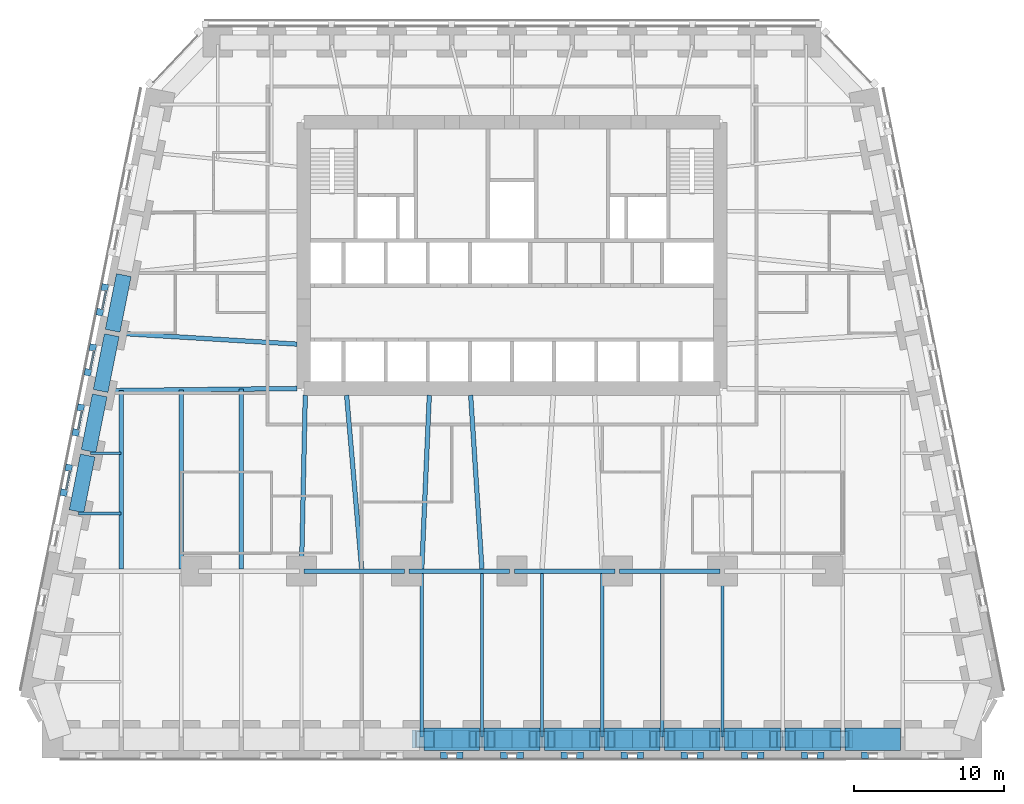
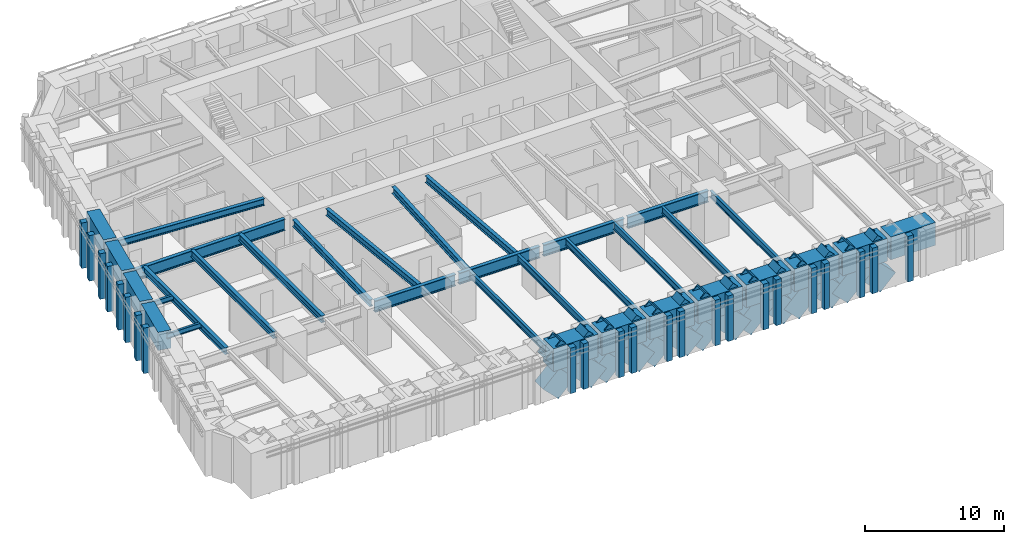
# One storey, part 2 of 16: 41 members, 33 beams, 12 elements without a shape of their own.
"""IFC4 building model written with IfcOpenShell, lengths in metres."""

from ifc_helpers import new_model, si_unit, direction, frame, origin, origin_2d, place, context, subcontext, project, spatial, rectangle, hollow_rectangle, i_section, extrude, material, material_profile, profile_set, type_object, element, aggregate, save


model = new_model("IFC4")

# Units and contexts
model_context = context("Model", 3, precision=1e-05, world=origin(), true_north=direction((0.0, 1.0)))
body_context = subcontext(model_context, "Body", "Model", "MODEL_VIEW")
ifc_project = project(units=[si_unit("LENGTHUNIT", "METRE"), si_unit("AREAUNIT", "SQUARE_METRE"), si_unit("VOLUMEUNIT", "CUBIC_METRE"), si_unit("PLANEANGLEUNIT", "RADIAN"), si_unit("MASSUNIT", "GRAM", prefix="KILO")], contexts=[model_context])

# Site, building, storey
site_placement = place(None, origin())
site = spatial("IfcSite", under=ifc_project, at=site_placement, CompositionType="ELEMENT")
building_placement = place(site_placement, origin())
building = spatial("IfcBuilding", under=site, at=building_placement, Name="Isbrekke Arena Tower", CompositionType="ELEMENT")
storey_placement = place(building_placement, frame((0.0, 0.0, 44.0)))
storey = spatial("IfcBuildingStorey", under=building, at=storey_placement, Name="L08", CompositionType="ELEMENT", Elevation=44.0)

# Beams
ifc_material_1 = material(Name="Steel S355", Category="steel")
ifc_material_profile_1 = material_profile(ifc_material_1, i_section(OverallWidth=0.219970703125, OverallDepth=0.60009765625, WebThickness=0.011962890625, FlangeThickness=0.01904296875, FilletRadius=0.02392578125, at=origin_2d()), Name="IPE 600")
ifc_profile_set_1 = profile_set([ifc_material_profile_1], Name="Steel S355")
beam_type_1 = type_object("IfcBeamType", Name="B1 IPE 600", PredefinedType="BEAM", material=ifc_profile_set_1)
for number, where, z_axis, x_axis, name in (
    (1, (-6.0, -17.02490234375, 3.550048828125), (0.0, 1.0, 0.0), (-1.0, 0.0, 0.0), "B1 beam S-S07 L08"),
    (2, (-2.0, -17.02490234375, 3.550048828125), (0.0, 1.0, 0.0), (-1.0, 0.0, 0.0), "B1 beam S-S08 L08"),
    (3, (2.0, -17.02490234375, 3.550048828125), (0.0, 1.0, 0.0), (-1.0, 0.0, 0.0), "B1 beam S-S09 L08"),
    (4, (6.0, -17.02490234375, 3.550048828125), (0.0, 1.0, 0.0), (-1.0, 0.0, 0.0), "B1 beam S-S10 L08"),
    (5, (10.0, -17.02490234375, 3.550048828125), (0.0, 1.0, 0.0), (-1.0, 0.0, 0.0), "B1 beam S-S11 L08"),
):
    element("IfcBeam", number, at=place(storey_placement, frame(where, z_axis=z_axis, x_axis=x_axis)), inside=storey, type_object=beam_type_1, Name=name, PredefinedType="BEAM", context=body_context, shape_type="SweptSolid", body=[
        extrude(i_section(OverallWidth=0.219970703125, OverallDepth=0.60009765625, WebThickness=0.011962890625, FlangeThickness=0.01904296875, FilletRadius=0.02392578125, at=origin_2d()), origin(), (0.0, 0.0, 1.0), 10.8740234375),
    ])
beam_1_placement = place(storey_placement, frame((14.0, -17.02490234375, 3.550048828125), z_axis=(0.0, 1.0, 0.0), x_axis=(-1.0, 0.0, 0.0)))
element("IfcBeam", 6, at=beam_1_placement, inside=storey, type_object=beam_type_1, Name="B1 beam S-S12 L08", PredefinedType="BEAM", context=body_context, shape_type="SweptSolid", body=[
    extrude(i_section(OverallWidth=0.219970703125, OverallDepth=0.60009765625, WebThickness=0.011962890625, FlangeThickness=0.01904296875, FilletRadius=0.02392578125, at=origin_2d()), origin(), (0.0, 0.0, 1.0), 10.875),
])
ifc_material_2 = material(Name="Steel S355", Category="steel")
ifc_material_profile_2 = material_profile(ifc_material_2, i_section(OverallWidth=0.18994140625, OverallDepth=0.449951171875, WebThickness=0.009521484375, FlangeThickness=0.0146484375, FilletRadius=0.02099609375, at=origin_2d()), Name="IPE 450")
ifc_profile_set_2 = profile_set([ifc_material_profile_2], Name="Steel S355")
beam_type_2 = type_object("IfcBeamType", Name="B2 IPE 450", PredefinedType="BEAM", material=ifc_profile_set_2)
beam_2_placement = place(storey_placement, frame((-28.041015625, 1.838134765625, 3.625), z_axis=(1.0, 0.0, 0.0), x_axis=(0.0, 1.0, 0.0)))
element("IfcBeam", 7, at=beam_2_placement, inside=storey, type_object=beam_type_2, Name="B2 beam E-W07 L08", PredefinedType="BEAM", context=body_context, shape_type="SweptSolid", body=[
    extrude(i_section(OverallWidth=0.18994140625, OverallDepth=0.449951171875, WebThickness=0.009521484375, FlangeThickness=0.0146484375, FilletRadius=0.02099609375, at=origin_2d()), origin(), (0.0, 0.0, 1.0), 2.041015625),
])
beam_3_placement = place(storey_placement, frame((-28.841064453125, -2.161865234375, 3.625), z_axis=(1.0, 0.0, 0.0), x_axis=(0.0, 1.0, 0.0)))
element("IfcBeam", 8, at=beam_3_placement, inside=storey, type_object=beam_type_2, Name="B2 beam E-W08 L08", PredefinedType="BEAM", context=body_context, shape_type="SweptSolid", body=[
    extrude(i_section(OverallWidth=0.18994140625, OverallDepth=0.449951171875, WebThickness=0.009521484375, FlangeThickness=0.0146484375, FilletRadius=0.02099609375, at=origin_2d()), origin(), (0.0, 0.0, 1.0), 2.841064453125),
])
ifc_material_3 = material(Name="Steel S355", Category="steel")
ifc_material_profile_3 = material_profile(ifc_material_3, i_section(OverallWidth=0.300048828125, OverallDepth=0.60009765625, WebThickness=0.015380859375, FlangeThickness=0.030029296875, FilletRadius=0.027099609375, at=origin_2d()), Name="HEB 600")
ifc_profile_set_3 = profile_set([ifc_material_profile_3], Name="Steel S355")
beam_type_3 = type_object("IfcBeamType", Name="B7 HEB 600", PredefinedType="BEAM", material=ifc_profile_set_3)
beam_4_placement = place(storey_placement, frame((-26.0, -5.84912109375, 3.550048828125), z_axis=(0.0, 1.0, 0.0), x_axis=(-1.0, 0.0, 0.0)))
element("IfcBeam", 9, at=beam_4_placement, inside=storey, type_object=beam_type_3, Name="B7 beam C-M01 L08", PredefinedType="BEAM", context=body_context, shape_type="SweptSolid", body=[
    extrude(i_section(OverallWidth=0.300048828125, OverallDepth=0.60009765625, WebThickness=0.015380859375, FlangeThickness=0.030029296875, FilletRadius=0.027099609375, at=origin_2d()), origin(), (0.0, 0.0, 1.0), 11.864990234375),
])
beam_5_placement = place(storey_placement, frame((-22.0, -5.84912109375, 3.550048828125), z_axis=(0.0, 1.0, 0.0), x_axis=(-1.0, 0.0, 0.0)))
element("IfcBeam", 10, at=beam_5_placement, inside=storey, type_object=beam_type_3, Name="B7 beam C-M02 L08", PredefinedType="BEAM", context=body_context, shape_type="SweptSolid", body=[
    extrude(i_section(OverallWidth=0.300048828125, OverallDepth=0.60009765625, WebThickness=0.015380859375, FlangeThickness=0.030029296875, FilletRadius=0.027099609375, at=origin_2d()), origin(), (0.0, 0.0, 1.0), 11.910888671875),
])
beam_6_placement = place(storey_placement, frame((-18.0, -5.84912109375, 3.550048828125), z_axis=(0.0, 1.0, 0.0), x_axis=(-1.0, 0.0, 0.0)))
element("IfcBeam", 11, at=beam_6_placement, inside=storey, type_object=beam_type_3, Name="B7 beam C-M03 L08", PredefinedType="BEAM", context=body_context, shape_type="SweptSolid", body=[
    extrude(i_section(OverallWidth=0.300048828125, OverallDepth=0.60009765625, WebThickness=0.015380859375, FlangeThickness=0.030029296875, FilletRadius=0.027099609375, at=origin_2d()), origin(), (0.0, 0.0, 1.0), 11.956787109375),
])
beam_7_placement = place(storey_placement, frame((-14.0, -5.8466796875, 3.550048828125), z_axis=(0.021646264273, 0.999765692171, 0.0), x_axis=(-0.999765692171, 0.021646264273, 0.0)))
element("IfcBeam", 12, at=beam_7_placement, inside=storey, type_object=beam_type_3, Name="B7 beam C-M04 L08", PredefinedType="BEAM", context=body_context, shape_type="SweptSolid", body=[
    extrude(i_section(OverallWidth=0.300048828125, OverallDepth=0.60009765625, WebThickness=0.015380859375, FlangeThickness=0.030029296875, FilletRadius=0.027099609375, at=origin_2d()), origin(), (0.0, 0.0, 1.0), 11.54931640625),
])
beam_8_placement = place(storey_placement, frame((-10.001220703125, -5.836181640625, 3.550048828125), z_axis=(-0.086255671377, 0.996273034442, 0.0), x_axis=(-0.996273034442, -0.086255671377, 0.0)))
element("IfcBeam", 13, at=beam_8_placement, inside=storey, type_object=beam_type_3, Name="B7 beam C-M05 L08", PredefinedType="BEAM", context=body_context, shape_type="SweptSolid", body=[
    extrude(i_section(OverallWidth=0.300048828125, OverallDepth=0.60009765625, WebThickness=0.015380859375, FlangeThickness=0.030029296875, FilletRadius=0.027099609375, at=origin_2d()), origin(), (0.0, 0.0, 1.0), 11.579345703125),
])
beam_9_placement = place(storey_placement, frame((-5.999755859375, -5.842529296875, 3.550048828125), z_axis=(0.04325656756, 0.99906399663, 0.0), x_axis=(-0.99906399663, 0.04325656756, 0.0)))
element("IfcBeam", 14, at=beam_9_placement, inside=storey, type_object=beam_type_3, Name="B7 beam C-M06 L08", PredefinedType="BEAM", context=body_context, shape_type="SweptSolid", body=[
    extrude(i_section(OverallWidth=0.300048828125, OverallDepth=0.60009765625, WebThickness=0.015380859375, FlangeThickness=0.030029296875, FilletRadius=0.027099609375, at=origin_2d()), origin(), (0.0, 0.0, 1.0), 11.55322265625),
])
beam_10_placement = place(storey_placement, frame((-2.000732421875, -5.83935546875, 3.550048828125), z_axis=(-0.064795318476, 0.997898575359, 0.0), x_axis=(-0.997898575359, -0.064795318476, 0.0)))
element("IfcBeam", 15, at=beam_10_placement, inside=storey, type_object=beam_type_3, Name="B7 beam C-M07 L08", PredefinedType="BEAM", context=body_context, shape_type="SweptSolid", body=[
    extrude(i_section(OverallWidth=0.300048828125, OverallDepth=0.60009765625, WebThickness=0.015380859375, FlangeThickness=0.030029296875, FilletRadius=0.027099609375, at=origin_2d()), origin(), (0.0, 0.0, 1.0), 11.563720703125),
])
beam_11_placement = place(storey_placement, frame((-26.431884765625, 9.837646484375, 3.550048828125), z_axis=(0.998157121592, -0.060682457223, 0.0), x_axis=(0.060682457223, 0.998157121592, 0.0)))
element("IfcBeam", 16, at=beam_11_placement, inside=storey, type_object=beam_type_3, Name="B7 beam E-W05 L08", PredefinedType="BEAM", context=body_context, shape_type="SweptSolid", body=[
    extrude(i_section(OverallWidth=0.300048828125, OverallDepth=0.60009765625, WebThickness=0.015380859375, FlangeThickness=0.030029296875, FilletRadius=0.027099609375, at=origin_2d()), origin(), (0.0, 0.0, 1.0), 12.154296875),
])

# Curtain wall, members
ifc_material_4 = material(Name="Glazed aluminium curtain wall", Category="aluminium")
curtain_wall_type = type_object("IfcCurtainWallType", Name="CWL TOWER CURTAIN WALL LOW ZONE", PredefinedType="USERDEFINED", material=ifc_material_4)
curtain_wall_1_placement = place(storey_placement, origin())
curtain_wall_1 = element("IfcCurtainWall", 17, at=curtain_wall_1_placement, inside=storey, type_object=curtain_wall_type, Name="CWL curtain wall L08-S13", ObjectType="TOWER CURTAIN WALL LOW ZONE", PredefinedType="USERDEFINED")
ifc_material_5 = material(Name="Aluminium mullion, pale brick slip cladding", Category="masonry")
ifc_material_profile_4 = material_profile(ifc_material_5, rectangle(XDim=0.449951171875, YDim=0.449951171875, at=origin_2d()), Name="PIER 450X450")
ifc_profile_set_4 = profile_set([ifc_material_profile_4], Name="Aluminium mullion, pale brick slip cladding")
member_type_1 = type_object("IfcMemberType", Name="CWL-M PIER MULLION 450 x 450", PredefinedType="MULLION", material=ifc_profile_set_4)
member_1_placement = place(storey_placement, frame((-4.52490234375, -18.25, 0.0), z_axis=(0.0, 0.0, 1.0), x_axis=(1.0, 0.0, 0.0)))
member_1 = element("IfcMember", 18, at=member_1_placement, type_object=member_type_1, Name="CWL-M mullion 1", PredefinedType="MULLION", context=body_context, shape_type="SweptSolid", body=[
    extrude(rectangle(XDim=0.449951171875, YDim=0.449951171875, at=origin_2d()), origin(), (0.0, 0.0, 1.0), 4.0),
])
member_2_placement = place(storey_placement, frame((-3.47509765625, -18.25, 0.0), z_axis=(0.0, 0.0, 1.0), x_axis=(1.0, 0.0, 0.0)))
member_2 = element("IfcMember", 19, at=member_2_placement, type_object=member_type_1, Name="CWL-M mullion 2", PredefinedType="MULLION", context=body_context, shape_type="SweptSolid", body=[
    extrude(rectangle(XDim=0.449951171875, YDim=0.449951171875, at=origin_2d()), origin(), (0.0, 0.0, 1.0), 4.0),
])
aggregate(curtain_wall_1, [member_1, member_2])

curtain_wall_2_placement = place(storey_placement, origin())
curtain_wall_2 = element("IfcCurtainWall", 20, at=curtain_wall_2_placement, inside=storey, type_object=curtain_wall_type, Name="CWL curtain wall L08-S15", ObjectType="TOWER CURTAIN WALL LOW ZONE", PredefinedType="USERDEFINED")
member_3_placement = place(storey_placement, frame((-0.52490234375, -18.25, 0.0), z_axis=(0.0, 0.0, 1.0), x_axis=(1.0, 0.0, 0.0)))
member_3 = element("IfcMember", 21, at=member_3_placement, type_object=member_type_1, Name="CWL-M mullion 1", PredefinedType="MULLION", context=body_context, shape_type="SweptSolid", body=[
    extrude(rectangle(XDim=0.449951171875, YDim=0.449951171875, at=origin_2d()), origin(), (0.0, 0.0, 1.0), 4.0),
])
member_4_placement = place(storey_placement, frame((0.52490234375, -18.25, 0.0), z_axis=(0.0, 0.0, 1.0), x_axis=(1.0, 0.0, 0.0)))
member_4 = element("IfcMember", 22, at=member_4_placement, type_object=member_type_1, Name="CWL-M mullion 2", PredefinedType="MULLION", context=body_context, shape_type="SweptSolid", body=[
    extrude(rectangle(XDim=0.449951171875, YDim=0.449951171875, at=origin_2d()), origin(), (0.0, 0.0, 1.0), 4.0),
])
aggregate(curtain_wall_2, [member_3, member_4])

curtain_wall_3_placement = place(storey_placement, origin())
curtain_wall_3 = element("IfcCurtainWall", 23, at=curtain_wall_3_placement, inside=storey, type_object=curtain_wall_type, Name="CWL curtain wall L08-S17", ObjectType="TOWER CURTAIN WALL LOW ZONE", PredefinedType="USERDEFINED")
member_5_placement = place(storey_placement, frame((3.47509765625, -18.25, 0.0), z_axis=(0.0, 0.0, 1.0), x_axis=(1.0, 0.0, 0.0)))
member_5 = element("IfcMember", 24, at=member_5_placement, type_object=member_type_1, Name="CWL-M mullion 1", PredefinedType="MULLION", context=body_context, shape_type="SweptSolid", body=[
    extrude(rectangle(XDim=0.449951171875, YDim=0.449951171875, at=origin_2d()), origin(), (0.0, 0.0, 1.0), 4.0),
])
member_6_placement = place(storey_placement, frame((4.52490234375, -18.25, 0.0), z_axis=(0.0, 0.0, 1.0), x_axis=(1.0, 0.0, 0.0)))
member_6 = element("IfcMember", 25, at=member_6_placement, type_object=member_type_1, Name="CWL-M mullion 2", PredefinedType="MULLION", context=body_context, shape_type="SweptSolid", body=[
    extrude(rectangle(XDim=0.449951171875, YDim=0.449951171875, at=origin_2d()), origin(), (0.0, 0.0, 1.0), 4.0),
])
aggregate(curtain_wall_3, [member_5, member_6])

curtain_wall_4_placement = place(storey_placement, origin())
curtain_wall_4 = element("IfcCurtainWall", 26, at=curtain_wall_4_placement, inside=storey, type_object=curtain_wall_type, Name="CWL curtain wall L08-S19", ObjectType="TOWER CURTAIN WALL LOW ZONE", PredefinedType="USERDEFINED")
member_7_placement = place(storey_placement, frame((7.47509765625, -18.25, 0.0), z_axis=(0.0, 0.0, 1.0), x_axis=(1.0, 0.0, 0.0)))
member_7 = element("IfcMember", 27, at=member_7_placement, type_object=member_type_1, Name="CWL-M mullion 1", PredefinedType="MULLION", context=body_context, shape_type="SweptSolid", body=[
    extrude(rectangle(XDim=0.449951171875, YDim=0.449951171875, at=origin_2d()), origin(), (0.0, 0.0, 1.0), 4.0),
])
member_8_placement = place(storey_placement, frame((8.52490234375, -18.25, 0.0), z_axis=(0.0, 0.0, 1.0), x_axis=(1.0, 0.0, 0.0)))
member_8 = element("IfcMember", 28, at=member_8_placement, type_object=member_type_1, Name="CWL-M mullion 2", PredefinedType="MULLION", context=body_context, shape_type="SweptSolid", body=[
    extrude(rectangle(XDim=0.449951171875, YDim=0.449951171875, at=origin_2d()), origin(), (0.0, 0.0, 1.0), 4.0),
])
aggregate(curtain_wall_4, [member_7, member_8])

curtain_wall_5_placement = place(storey_placement, origin())
curtain_wall_5 = element("IfcCurtainWall", 29, at=curtain_wall_5_placement, inside=storey, type_object=curtain_wall_type, Name="CWL curtain wall L08-S21", ObjectType="TOWER CURTAIN WALL LOW ZONE", PredefinedType="USERDEFINED")
member_9_placement = place(storey_placement, frame((11.47509765625, -18.25, 0.0), z_axis=(0.0, 0.0, 1.0), x_axis=(1.0, 0.0, 0.0)))
member_9 = element("IfcMember", 30, at=member_9_placement, type_object=member_type_1, Name="CWL-M mullion 1", PredefinedType="MULLION", context=body_context, shape_type="SweptSolid", body=[
    extrude(rectangle(XDim=0.449951171875, YDim=0.449951171875, at=origin_2d()), origin(), (0.0, 0.0, 1.0), 4.0),
])
member_10_placement = place(storey_placement, frame((12.52490234375, -18.25, 0.0), z_axis=(0.0, 0.0, 1.0), x_axis=(1.0, 0.0, 0.0)))
member_10 = element("IfcMember", 31, at=member_10_placement, type_object=member_type_1, Name="CWL-M mullion 2", PredefinedType="MULLION", context=body_context, shape_type="SweptSolid", body=[
    extrude(rectangle(XDim=0.449951171875, YDim=0.449951171875, at=origin_2d()), origin(), (0.0, 0.0, 1.0), 4.0),
])
aggregate(curtain_wall_5, [member_9, member_10])

curtain_wall_6_placement = place(storey_placement, origin())
curtain_wall_6 = element("IfcCurtainWall", 32, at=curtain_wall_6_placement, inside=storey, type_object=curtain_wall_type, Name="CWL curtain wall L08-S23", ObjectType="TOWER CURTAIN WALL LOW ZONE", PredefinedType="USERDEFINED")
member_11_placement = place(storey_placement, frame((15.47509765625, -18.25, 0.0), z_axis=(0.0, 0.0, 1.0), x_axis=(1.0, 0.0, 0.0)))
member_11 = element("IfcMember", 33, at=member_11_placement, type_object=member_type_1, Name="CWL-M mullion 1", PredefinedType="MULLION", context=body_context, shape_type="SweptSolid", body=[
    extrude(rectangle(XDim=0.449951171875, YDim=0.449951171875, at=origin_2d()), origin(), (0.0, 0.0, 1.0), 4.0),
])
member_12_placement = place(storey_placement, frame((16.52490234375, -18.25, 0.0), z_axis=(0.0, 0.0, 1.0), x_axis=(1.0, 0.0, 0.0)))
member_12 = element("IfcMember", 34, at=member_12_placement, type_object=member_type_1, Name="CWL-M mullion 2", PredefinedType="MULLION", context=body_context, shape_type="SweptSolid", body=[
    extrude(rectangle(XDim=0.449951171875, YDim=0.449951171875, at=origin_2d()), origin(), (0.0, 0.0, 1.0), 4.0),
])
aggregate(curtain_wall_6, [member_11, member_12])

curtain_wall_7_placement = place(storey_placement, origin())
curtain_wall_7 = element("IfcCurtainWall", 35, at=curtain_wall_7_placement, inside=storey, type_object=curtain_wall_type, Name="CWL curtain wall L08-S25", ObjectType="TOWER CURTAIN WALL LOW ZONE", PredefinedType="USERDEFINED")
member_13_placement = place(storey_placement, frame((19.47509765625, -18.25, 0.0), z_axis=(0.0, 0.0, 1.0), x_axis=(1.0, 0.0, 0.0)))
member_13 = element("IfcMember", 36, at=member_13_placement, type_object=member_type_1, Name="CWL-M mullion 1", PredefinedType="MULLION", context=body_context, shape_type="SweptSolid", body=[
    extrude(rectangle(XDim=0.449951171875, YDim=0.449951171875, at=origin_2d()), origin(), (0.0, 0.0, 1.0), 4.0),
])
member_14_placement = place(storey_placement, frame((20.52490234375, -18.25, 0.0), z_axis=(0.0, 0.0, 1.0), x_axis=(1.0, 0.0, 0.0)))
member_14 = element("IfcMember", 37, at=member_14_placement, type_object=member_type_1, Name="CWL-M mullion 2", PredefinedType="MULLION", context=body_context, shape_type="SweptSolid", body=[
    extrude(rectangle(XDim=0.449951171875, YDim=0.449951171875, at=origin_2d()), origin(), (0.0, 0.0, 1.0), 4.0),
])
aggregate(curtain_wall_7, [member_13, member_14])

# Curtain wall, member
curtain_wall_8_placement = place(storey_placement, origin())
curtain_wall_8 = element("IfcCurtainWall", 38, at=curtain_wall_8_placement, inside=storey, type_object=curtain_wall_type, Name="CWL curtain wall L08-S27", ObjectType="TOWER CURTAIN WALL LOW ZONE", PredefinedType="USERDEFINED")
member_15_placement = place(storey_placement, frame((23.47509765625, -18.25, 0.0), z_axis=(0.0, 0.0, 1.0), x_axis=(1.0, 0.0, 0.0)))
member_15 = element("IfcMember", 39, at=member_15_placement, type_object=member_type_1, Name="CWL-M mullion 1", PredefinedType="MULLION", context=body_context, shape_type="SweptSolid", body=[
    extrude(rectangle(XDim=0.449951171875, YDim=0.449951171875, at=origin_2d()), origin(), (0.0, 0.0, 1.0), 4.0),
])
aggregate(curtain_wall_8, [member_15])

# Curtain wall, members
curtain_wall_9_placement = place(storey_placement, origin())
curtain_wall_9 = element("IfcCurtainWall", 40, at=curtain_wall_9_placement, inside=storey, type_object=curtain_wall_type, Name="CWL curtain wall L08-W7", ObjectType="TOWER CURTAIN WALL LOW ZONE", PredefinedType="USERDEFINED")
member_16_placement = place(storey_placement, frame((-27.08056640625, 12.872314453125, 0.0), z_axis=(0.0, 0.0, 1.0), x_axis=(-0.196116135138, -0.980580675691, 0.0)))
member_16 = element("IfcMember", 41, at=member_16_placement, type_object=member_type_1, Name="CWL-M mullion 1", PredefinedType="MULLION", context=body_context, shape_type="SweptSolid", body=[
    extrude(rectangle(XDim=0.449951171875, YDim=0.449951171875, at=origin_2d()), origin(), (0.0, 0.0, 1.0), 4.0),
])
member_17_placement = place(storey_placement, frame((-27.409912109375, 11.225830078125, 0.0), z_axis=(0.0, 0.0, 1.0), x_axis=(-0.196116135138, -0.980580675691, 0.0)))
member_17 = element("IfcMember", 42, at=member_17_placement, type_object=member_type_1, Name="CWL-M mullion 2", PredefinedType="MULLION", context=body_context, shape_type="SweptSolid", body=[
    extrude(rectangle(XDim=0.449951171875, YDim=0.449951171875, at=origin_2d()), origin(), (0.0, 0.0, 1.0), 4.0),
])

curtain_wall_10_placement = place(storey_placement, origin())
curtain_wall_10 = element("IfcCurtainWall", 43, at=curtain_wall_10_placement, inside=storey, type_object=curtain_wall_type, Name="CWL curtain wall L08-W9", ObjectType="TOWER CURTAIN WALL LOW ZONE", PredefinedType="USERDEFINED")
member_18_placement = place(storey_placement, frame((-27.88037109375, 8.872314453125, 0.0), z_axis=(0.0, 0.0, 1.0), x_axis=(-0.196116135138, -0.980580675691, 0.0)))
member_18 = element("IfcMember", 44, at=member_18_placement, type_object=member_type_1, Name="CWL-M mullion 1", PredefinedType="MULLION", context=body_context, shape_type="SweptSolid", body=[
    extrude(rectangle(XDim=0.449951171875, YDim=0.449951171875, at=origin_2d()), origin(), (0.0, 0.0, 1.0), 4.0),
])
member_19_placement = place(storey_placement, frame((-28.209716796875, 7.225830078125, 0.0), z_axis=(0.0, 0.0, 1.0), x_axis=(-0.196116135138, -0.980580675691, 0.0)))
member_19 = element("IfcMember", 45, at=member_19_placement, type_object=member_type_1, Name="CWL-M mullion 2", PredefinedType="MULLION", context=body_context, shape_type="SweptSolid", body=[
    extrude(rectangle(XDim=0.449951171875, YDim=0.449951171875, at=origin_2d()), origin(), (0.0, 0.0, 1.0), 4.0),
])

curtain_wall_11_placement = place(storey_placement, origin())
curtain_wall_11 = element("IfcCurtainWall", 46, at=curtain_wall_11_placement, inside=storey, type_object=curtain_wall_type, Name="CWL curtain wall L08-W11", ObjectType="TOWER CURTAIN WALL LOW ZONE", PredefinedType="USERDEFINED")
member_20_placement = place(storey_placement, frame((-28.680419921875, 4.872314453125, 0.0), z_axis=(0.0, 0.0, 1.0), x_axis=(-0.196116135138, -0.980580675691, 0.0)))
member_20 = element("IfcMember", 47, at=member_20_placement, type_object=member_type_1, Name="CWL-M mullion 1", PredefinedType="MULLION", context=body_context, shape_type="SweptSolid", body=[
    extrude(rectangle(XDim=0.449951171875, YDim=0.449951171875, at=origin_2d()), origin(), (0.0, 0.0, 1.0), 4.0),
])
member_21_placement = place(storey_placement, frame((-29.009765625, 3.225830078125, 0.0), z_axis=(0.0, 0.0, 1.0), x_axis=(-0.196116135138, -0.980580675691, 0.0)))
member_21 = element("IfcMember", 48, at=member_21_placement, type_object=member_type_1, Name="CWL-M mullion 2", PredefinedType="MULLION", context=body_context, shape_type="SweptSolid", body=[
    extrude(rectangle(XDim=0.449951171875, YDim=0.449951171875, at=origin_2d()), origin(), (0.0, 0.0, 1.0), 4.0),
])

curtain_wall_12_placement = place(storey_placement, origin())
curtain_wall_12 = element("IfcCurtainWall", 49, at=curtain_wall_12_placement, inside=storey, type_object=curtain_wall_type, Name="CWL curtain wall L08-W13", ObjectType="TOWER CURTAIN WALL LOW ZONE", PredefinedType="USERDEFINED")
member_22_placement = place(storey_placement, frame((-29.48046875, 0.872314453125, 0.0), z_axis=(0.0, 0.0, 1.0), x_axis=(-0.196116135138, -0.980580675691, 0.0)))
member_22 = element("IfcMember", 50, at=member_22_placement, type_object=member_type_1, Name="CWL-M mullion 1", PredefinedType="MULLION", context=body_context, shape_type="SweptSolid", body=[
    extrude(rectangle(XDim=0.449951171875, YDim=0.449951171875, at=origin_2d()), origin(), (0.0, 0.0, 1.0), 4.0),
])
member_23_placement = place(storey_placement, frame((-29.809814453125, -0.774169921875, 0.0), z_axis=(0.0, 0.0, 1.0), x_axis=(-0.196116135138, -0.980580675691, 0.0)))
member_23 = element("IfcMember", 51, at=member_23_placement, type_object=member_type_1, Name="CWL-M mullion 2", PredefinedType="MULLION", context=body_context, shape_type="SweptSolid", body=[
    extrude(rectangle(XDim=0.449951171875, YDim=0.449951171875, at=origin_2d()), origin(), (0.0, 0.0, 1.0), 4.0),
])

# Member
ifc_material_6 = material(Name="Aluminium transom", Category="aluminium")
ifc_material_profile_5 = material_profile(ifc_material_6, rectangle(XDim=0.1201171875, YDim=0.199951171875, at=origin_2d()), Name="TRANSOM 120X200")
ifc_profile_set_5 = profile_set([ifc_material_profile_5], Name="Aluminium transom")
member_type_2 = type_object("IfcMemberType", Name="CWL-T TRANSOM 120 x 200", PredefinedType="USERDEFINED", material=ifc_profile_set_5)
member_24_placement = place(storey_placement, frame((-27.001953125, 12.627197265625, 3.0), z_axis=(-0.19623071885, -0.980557751986, 0.0), x_axis=(0.980557751986, -0.19623071885, 0.0)))
member_24 = element("IfcMember", 52, at=member_24_placement, type_object=member_type_2, Name="CWL-T transom 1", ObjectType="TRANSOM", PredefinedType="USERDEFINED", context=body_context, shape_type="SweptSolid", body=[
    extrude(rectangle(XDim=0.1201171875, YDim=0.199951171875, at=origin_2d()), origin(), (0.0, 0.0, 1.0), 1.229248046875),
])

aggregate(curtain_wall_9, [member_16, member_17, member_24])

member_25_placement = place(storey_placement, frame((-27.802001953125, 8.627197265625, 3.0), z_axis=(-0.19623071885, -0.980557751986, 0.0), x_axis=(0.980557751986, -0.19623071885, 0.0)))
member_25 = element("IfcMember", 53, at=member_25_placement, type_object=member_type_2, Name="CWL-T transom 1", ObjectType="TRANSOM", PredefinedType="USERDEFINED", context=body_context, shape_type="SweptSolid", body=[
    extrude(rectangle(XDim=0.1201171875, YDim=0.199951171875, at=origin_2d()), origin(), (0.0, 0.0, 1.0), 1.229248046875),
])

aggregate(curtain_wall_10, [member_18, member_19, member_25])

member_26_placement = place(storey_placement, frame((-28.60205078125, 4.627197265625, 3.0), z_axis=(-0.196039741533, -0.980595951317, 0.0), x_axis=(0.980595951317, -0.196039741533, 0.0)))
member_26 = element("IfcMember", 54, at=member_26_placement, type_object=member_type_2, Name="CWL-T transom 1", ObjectType="TRANSOM", PredefinedType="USERDEFINED", context=body_context, shape_type="SweptSolid", body=[
    extrude(rectangle(XDim=0.1201171875, YDim=0.199951171875, at=origin_2d()), origin(), (0.0, 0.0, 1.0), 1.229248046875),
])

aggregate(curtain_wall_11, [member_20, member_21, member_26])

member_27_placement = place(storey_placement, frame((-29.402099609375, 0.627197265625, 3.0), z_axis=(-0.196039741533, -0.980595951317, 0.0), x_axis=(0.980595951317, -0.196039741533, 0.0)))
member_27 = element("IfcMember", 55, at=member_27_placement, type_object=member_type_2, Name="CWL-T transom 1", ObjectType="TRANSOM", PredefinedType="USERDEFINED", context=body_context, shape_type="SweptSolid", body=[
    extrude(rectangle(XDim=0.1201171875, YDim=0.199951171875, at=origin_2d()), origin(), (0.0, 0.0, 1.0), 1.229248046875),
])

aggregate(curtain_wall_12, [member_22, member_23, member_27])

# Beams
ifc_material_7 = material(Name="Steel S355", Category="steel")
ifc_material_profile_6 = material_profile(ifc_material_7, i_section(OverallWidth=0.302001953125, OverallDepth=1.008056640625, WebThickness=0.02099609375, FlangeThickness=0.0400390625, FilletRadius=0.030029296875, at=origin_2d()), Name="HEM 1000")
ifc_profile_set_6 = profile_set([ifc_material_profile_6], Name="Steel S355")
beam_type_4 = type_object("IfcBeamType", Name="G1 HEM 1000", PredefinedType="BEAM", material=ifc_profile_set_6)
for number, where, z_axis, x_axis, name in (
    (56, (-13.85009765625, -6.0, 3.345947265625), (1.0, 0.0, 0.0), (0.0, 1.0, 0.0), "G1 beam G1-03 L08"),
    (57, (-6.85009765625, -6.0, 3.345947265625), (1.0, 0.0, 0.0), (0.0, 1.0, 0.0), "G1 beam G1-04 L08"),
    (58, (0.14990234375, -6.0, 3.345947265625), (1.0, 0.0, 0.0), (0.0, 1.0, 0.0), "G1 beam G1-05 L08"),
    (59, (7.14990234375, -6.0, 3.345947265625), (1.0, 0.0, 0.0), (0.0, 1.0, 0.0), "G1 beam G1-06 L08"),
):
    element("IfcBeam", number, at=place(storey_placement, frame(where, z_axis=z_axis, x_axis=x_axis)), inside=storey, type_object=beam_type_4, Name=name, PredefinedType="BEAM", context=body_context, shape_type="SweptSolid", body=[
        extrude(i_section(OverallWidth=0.302001953125, OverallDepth=1.008056640625, WebThickness=0.02099609375, FlangeThickness=0.0400390625, FilletRadius=0.030029296875, at=origin_2d()), origin(), (0.0, 0.0, 1.0), 6.7001953125),
    ])
ifc_material_8 = material(Name="Steel S355", Category="steel")
ifc_material_profile_7 = material_profile(ifc_material_8, i_section(OverallWidth=0.302001953125, OverallDepth=1.008056640625, WebThickness=0.02099609375, FlangeThickness=0.0400390625, FilletRadius=0.030029296875, at=origin_2d()), Name="HEM 1000")
ifc_profile_set_7 = profile_set([ifc_material_profile_7], Name="Steel S355")
beam_type_5 = type_object("IfcBeamType", Name="G2 HEM 1000", PredefinedType="BEAM", material=ifc_profile_set_7)
beam_12_placement = place(storey_placement, frame((-14.300048828125, 6.14990234375, 3.345947265625), z_axis=(-0.999934429634, -0.011451481699, 0.0), x_axis=(0.011451481699, -0.999934429634, 0.0)))
element("IfcBeam", 60, at=beam_12_placement, inside=storey, type_object=beam_type_5, Name="G2 beam G2-W L08", PredefinedType="BEAM", context=body_context, shape_type="SweptSolid", body=[
    extrude(i_section(OverallWidth=0.302001953125, OverallDepth=1.008056640625, WebThickness=0.02099609375, FlangeThickness=0.0400390625, FilletRadius=0.030029296875, at=origin_2d()), origin(), (0.0, 0.0, 1.0), 13.09033203125),
])
ifc_material_9 = material(Name="Concrete B90 (C90/105)", Category="concrete")
ifc_material_profile_8 = material_profile(ifc_material_9, rectangle(XDim=1.0, YDim=1.60009765625, at=origin_2d()), Name="RC 1000x1600")
ifc_profile_set_8 = profile_set([ifc_material_profile_8], Name="Concrete B90 (C90/105)")
beam_type_6 = type_object("IfcBeamType", Name="SB1 RC 1000 x 1600", PredefinedType="SPANDREL", material=ifc_profile_set_8)
beam_13_placement = place(storey_placement, frame((-25.820556640625, 13.691162109375, 3.199951171875), z_axis=(-0.1960664412, -0.980590613169, 0.0), x_axis=(0.980590613169, -0.1960664412, 0.0)))
element("IfcBeam", 61, at=beam_13_placement, inside=storey, type_object=beam_type_6, Name="SB1 spandrel W04-W05 L08", PredefinedType="SPANDREL", context=body_context, shape_type="SweptSolid", body=[
    extrude(rectangle(XDim=1.0, YDim=1.60009765625, at=origin_2d()), origin(), (0.0, 0.0, 1.0), 3.779052734375),
])
for number, where, z_axis, x_axis, name in (
    (62, (-26.620361328125, 9.691162109375, 3.199951171875), (-0.196128558387, -0.980578190959, 0.0), (0.980578190959, -0.196128558387, 0.0), "SB1 spandrel W05-W06 L08"),
    (63, (-27.42041015625, 5.691162109375, 3.199951171875), (-0.196128558387, -0.980578190959, 0.0), (0.980578190959, -0.196128558387, 0.0), "SB1 spandrel W06-W07 L08"),
    (64, (-28.220458984375, 1.691162109375, 3.199951171875), (-0.196128558387, -0.980578190959, 0.0), (0.980578190959, -0.196128558387, 0.0), "SB1 spandrel W07-W08 L08"),
):
    element("IfcBeam", number, at=place(storey_placement, frame(where, z_axis=z_axis, x_axis=x_axis)), inside=storey, type_object=beam_type_6, Name=name, PredefinedType="SPANDREL", context=body_context, shape_type="SweptSolid", body=[
        extrude(rectangle(XDim=1.0, YDim=1.60009765625, at=origin_2d()), origin(), (0.0, 0.0, 1.0), 3.779296875),
    ])
ifc_material_10 = material(Name="Concrete B90 (C90/105)", Category="concrete")
ifc_material_profile_9 = material_profile(ifc_material_10, rectangle(XDim=1.5, YDim=2.0, at=origin_2d()), Name="RC 1500x2000")
ifc_profile_set_9 = profile_set([ifc_material_profile_9], Name="Concrete B90 (C90/105)")
beam_type_7 = type_object("IfcBeamType", Name="SB6 RC 1500 x 2000", PredefinedType="SPANDREL", material=ifc_profile_set_9)
for number, where, z_axis, x_axis, name in (
    (65, (-5.85009765625, -17.175048828125, 3.0), (1.0, 0.0, 0.0), (0.0, 1.0, 0.0), "SB6 spandrel S07-S08 L08"),
    (66, (-1.85009765625, -17.175048828125, 3.0), (1.0, 0.0, 0.0), (0.0, 1.0, 0.0), "SB6 spandrel S08-S09 L08"),
    (67, (2.14990234375, -17.175048828125, 3.0), (1.0, 0.0, 0.0), (0.0, 1.0, 0.0), "SB6 spandrel S09-S10 L08"),
    (68, (6.14990234375, -17.175048828125, 3.0), (1.0, 0.0, 0.0), (0.0, 1.0, 0.0), "SB6 spandrel S10-S11 L08"),
    (69, (10.14990234375, -17.175048828125, 3.0), (1.0, 0.0, 0.0), (0.0, 1.0, 0.0), "SB6 spandrel S11-S12 L08"),
    (70, (14.14990234375, -17.175048828125, 3.0), (1.0, 0.0, 0.0), (0.0, 1.0, 0.0), "SB6 spandrel S12-S13 L08"),
    (71, (18.14990234375, -17.175048828125, 3.0), (1.0, 0.0, 0.0), (0.0, 1.0, 0.0), "SB6 spandrel S13-S14 L08"),
    (72, (22.14990234375, -17.175048828125, 3.0), (1.0, 0.0, 0.0), (0.0, 1.0, 0.0), "SB6 spandrel S14-S15 L08"),
):
    element("IfcBeam", number, at=place(storey_placement, frame(where, z_axis=z_axis, x_axis=x_axis)), inside=storey, type_object=beam_type_7, Name=name, PredefinedType="SPANDREL", context=body_context, shape_type="SweptSolid", body=[
        extrude(rectangle(XDim=1.5, YDim=2.0, at=origin_2d()), origin(), (0.0, 0.0, 1.0), 3.7001953125),
    ])

# Members
ifc_material_11 = material(Name="Steel S460", Category="steel")
ifc_material_profile_10 = material_profile(ifc_material_11, hollow_rectangle(XDim=1.199951171875, YDim=1.800048828125, WallThickness=0.090087890625, at=origin_2d()), Name="BOX 1200x1800x90")
ifc_profile_set_10 = profile_set([ifc_material_profile_10], Name="Steel S460")
member_type_3 = type_object("IfcMemberType", Name="TB1 BOX 1200x1800x90", PredefinedType="BRACE", material=ifc_profile_set_10)
for number, where, z_axis, x_axis, name in (
    (73, (-6.0, -17.175048828125, 0.0), (0.707106781187, 0.0, 0.707106781187), (0.0, 1.0, 0.0), "TB1 transfer brace S07-S08 L08 A"),
    (74, (-5.779296875, -17.175048828125, 3.779296875), (0.707106781187, 0.0, -0.707106781187), (0.0, 1.0, 0.0), "TB1 transfer brace S07-S08 L08 B"),
    (75, (-2.0, -17.175048828125, 0.0), (0.707106781187, 0.0, 0.707106781187), (0.0, 1.0, 0.0), "TB1 transfer brace S08-S09 L08 A"),
    (76, (-1.779296875, -17.175048828125, 3.779296875), (0.707106781187, 0.0, -0.707106781187), (0.0, 1.0, 0.0), "TB1 transfer brace S08-S09 L08 B"),
    (77, (2.0, -17.175048828125, 0.0), (0.707106781187, 0.0, 0.707106781187), (0.0, 1.0, 0.0), "TB1 transfer brace S09-S10 L08 A"),
    (78, (2.220703125, -17.175048828125, 3.779296875), (0.707106781187, 0.0, -0.707106781187), (0.0, 1.0, 0.0), "TB1 transfer brace S09-S10 L08 B"),
    (79, (6.0, -17.175048828125, 0.0), (0.707106781187, 0.0, 0.707106781187), (0.0, 1.0, 0.0), "TB1 transfer brace S10-S11 L08 A"),
    (80, (6.220703125, -17.175048828125, 3.779296875), (0.707106781187, 0.0, -0.707106781187), (0.0, 1.0, 0.0), "TB1 transfer brace S10-S11 L08 B"),
    (81, (10.0, -17.175048828125, 0.0), (0.707106781187, 0.0, 0.707106781187), (0.0, 1.0, 0.0), "TB1 transfer brace S11-S12 L08 A"),
    (82, (10.220703125, -17.175048828125, 3.779296875), (0.707106781187, 0.0, -0.707106781187), (0.0, 1.0, 0.0), "TB1 transfer brace S11-S12 L08 B"),
    (83, (14.0, -17.175048828125, 0.0), (0.707106781187, 0.0, 0.707106781187), (0.0, 1.0, 0.0), "TB1 transfer brace S12-S13 L08 A"),
    (84, (14.220703125, -17.175048828125, 3.779296875), (0.707106781187, 0.0, -0.707106781187), (0.0, 1.0, 0.0), "TB1 transfer brace S12-S13 L08 B"),
    (85, (18.0, -17.175048828125, 0.0), (0.707106781187, 0.0, 0.707106781187), (0.0, 1.0, 0.0), "TB1 transfer brace S13-S14 L08 A"),
    (86, (18.220703125, -17.175048828125, 3.779296875), (0.707106781187, 0.0, -0.707106781187), (0.0, 1.0, 0.0), "TB1 transfer brace S13-S14 L08 B"),
):
    element("IfcMember", number, at=place(storey_placement, frame(where, z_axis=z_axis, x_axis=x_axis)), inside=storey, type_object=member_type_3, Name=name, PredefinedType="BRACE", context=body_context, shape_type="SweptSolid", body=[
        extrude(hollow_rectangle(XDim=1.199951171875, YDim=1.800048828125, WallThickness=0.090087890625, at=origin_2d()), origin(), (0.0, 0.0, 1.0), 5.3447265625),
    ])

save(model, "model.ifc")
